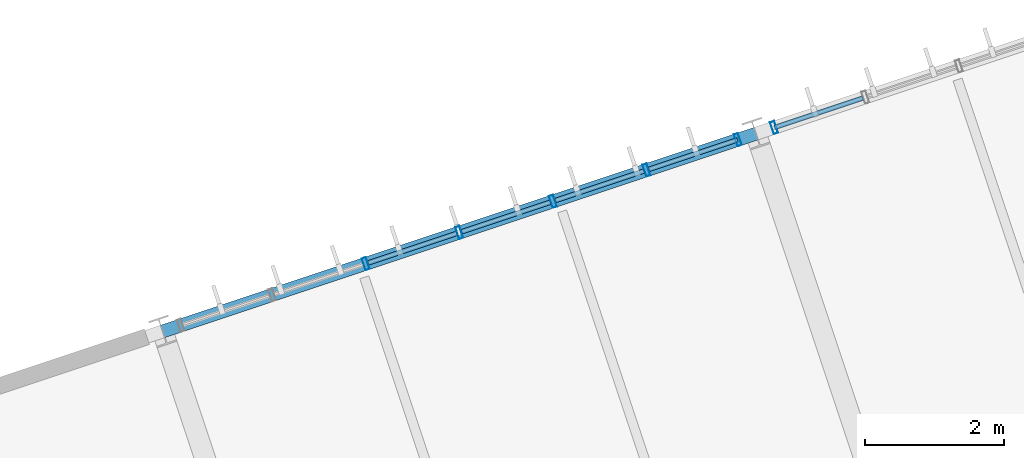
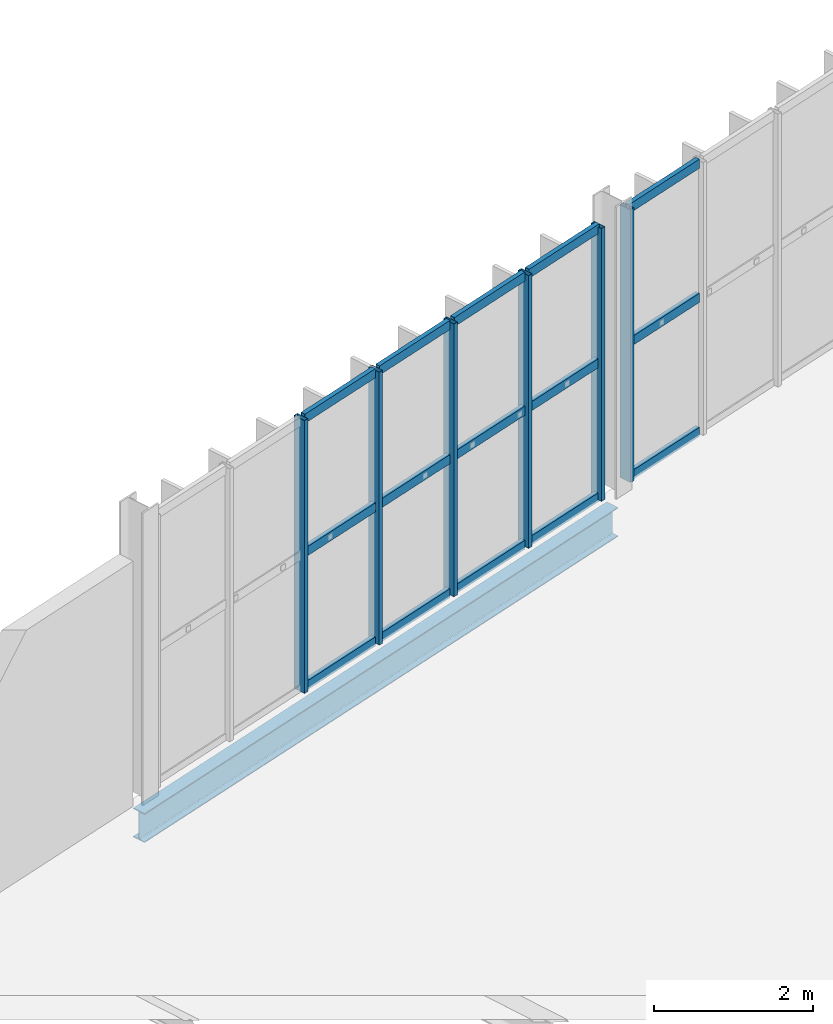
# One storey, part 44 of 152: 21 members, 1 beam, 2 elements without a shape of their own.
"""IFC4 building model written with IfcOpenShell, lengths in metres."""

from ifc_helpers import new_model, si_unit, derived_unit, direction, frame, origin, origin_2d, place, context, subcontext, project, spatial, hollow_rectangle, i_section, extrude, material, material_profile, profile_set, type_object, element, aggregate, save


model = new_model("IFC4")

# Units and contexts
model_context = context("Model", 3, precision=1e-05, world=origin(), true_north=direction((0.0, 1.0)))
body_context = subcontext(model_context, "Body", "Model", "MODEL_VIEW")
ifc_project = project(units=[si_unit("LENGTHUNIT", "METRE"), si_unit("AREAUNIT", "SQUARE_METRE"), si_unit("VOLUMEUNIT", "CUBIC_METRE"), si_unit("PLANEANGLEUNIT", "RADIAN"), si_unit("MASSUNIT", "GRAM", prefix="KILO"), si_unit("THERMODYNAMICTEMPERATUREUNIT", "KELVIN"), si_unit("TIMEUNIT", "SECOND"), derived_unit("THERMALTRANSMITTANCEUNIT", [(si_unit("MASSUNIT", "GRAM", prefix="KILO"), 1), (si_unit("THERMODYNAMICTEMPERATUREUNIT", "KELVIN"), -1), (si_unit("TIMEUNIT", "SECOND"), -3)])], contexts=[model_context])

# Site, building, storey
site_placement = place(None, origin())
site = spatial("IfcSite", under=ifc_project, at=site_placement, CompositionType="ELEMENT")
building_placement = place(site_placement, origin())
building = spatial("IfcBuilding", under=site, at=building_placement, Name="Cambertide Market Hall", CompositionType="ELEMENT")
storey_placement = place(building_placement, frame((0.0, 0.0, 5.39990234375)))
storey = spatial("IfcBuildingStorey", under=building, at=storey_placement, Name="L02", CompositionType="ELEMENT", Elevation=5.39990234375)

# Curtain wall, members
ifc_material_1 = material(Name="Marine Anodized Aluminium 6063-T6 AA25", Category="aluminium")
curtain_wall_type = type_object("IfcCurtainWallType", Name="Food Court Upper Glazed Facade", PredefinedType="USERDEFINED", material=ifc_material_1)
curtain_wall_1_placement = place(storey_placement, origin())
curtain_wall_1 = element("IfcCurtainWall", 1, at=curtain_wall_1_placement, inside=storey, type_object=curtain_wall_type, Name="Level 2 Curtain Wall CW-V3N-L02-3", ObjectType="UNITIZED CURTAIN WALL", PredefinedType="USERDEFINED")
ifc_material_2 = material(Name="Champagne Marine Anodized Aluminium 6063-T6 AA25", Category="aluminium")
ifc_material_profile_1 = material_profile(ifc_material_2, hollow_rectangle(XDim=0.06494140625, YDim=0.179931640625, WallThickness=0.00390625, at=origin_2d()), Name="ALU MULLION 65x180")
ifc_profile_set_1 = profile_set([ifc_material_profile_1], Name="Champagne Marine Anodized Aluminium 6063-T6 AA25")
member_type_1 = type_object("IfcMemberType", Name="Curtain Wall Mullion ALU MULLION 65x180", PredefinedType="MULLION", material=ifc_profile_set_1)
member_1_placement = place(storey_placement, frame((117.460205078125, 44.280517578125, 0.0), z_axis=(0.0, 0.0, 1.0), x_axis=(0.948683274577, 0.316227836438, 0.0)))
member_1 = element("IfcMember", 2, at=member_1_placement, type_object=member_type_1, Name="CW-V3N-L02-3 Mullion 3", PredefinedType="MULLION", context=body_context, shape_type="SweptSolid", body=[
    extrude(hollow_rectangle(XDim=0.06494140625, YDim=0.179931640625, WallThickness=0.00390625, at=origin_2d()), origin(), (0.0, 0.0, 1.0), 4.2001953125),
])
member_2_placement = place(storey_placement, frame((118.80712890625, 44.7294921875, 0.0), z_axis=(0.0, 0.0, 1.0), x_axis=(0.948683274577, 0.316227836438, 0.0)))
member_2 = element("IfcMember", 3, at=member_2_placement, type_object=member_type_1, Name="CW-V3N-L02-3 Mullion 4", PredefinedType="MULLION", context=body_context, shape_type="SweptSolid", body=[
    extrude(hollow_rectangle(XDim=0.06494140625, YDim=0.179931640625, WallThickness=0.00390625, at=origin_2d()), origin(), (0.0, 0.0, 1.0), 4.2001953125),
])
member_3_placement = place(storey_placement, frame((120.154296875, 45.1787109375, 0.0), z_axis=(0.0, 0.0, 1.0), x_axis=(0.948683274577, 0.316227836438, 0.0)))
member_3 = element("IfcMember", 4, at=member_3_placement, type_object=member_type_1, Name="CW-V3N-L02-3 Mullion 5", PredefinedType="MULLION", context=body_context, shape_type="SweptSolid", body=[
    extrude(hollow_rectangle(XDim=0.06494140625, YDim=0.179931640625, WallThickness=0.00390625, at=origin_2d()), origin(), (0.0, 0.0, 1.0), 4.2001953125),
])
member_4_placement = place(storey_placement, frame((121.50146484375, 45.627685546875, 0.0), z_axis=(0.0, 0.0, 1.0), x_axis=(0.948683274577, 0.316227836438, 0.0)))
member_4 = element("IfcMember", 5, at=member_4_placement, type_object=member_type_1, Name="CW-V3N-L02-3 Mullion 6", PredefinedType="MULLION", context=body_context, shape_type="SweptSolid", body=[
    extrude(hollow_rectangle(XDim=0.06494140625, YDim=0.179931640625, WallThickness=0.00390625, at=origin_2d()), origin(), (0.0, 0.0, 1.0), 4.2001953125),
])
member_5_placement = place(storey_placement, frame((122.8154296875, 46.065673828125, 0.0), z_axis=(0.0, 0.0, 1.0), x_axis=(0.948683274577, 0.316227836438, 0.0)))
member_5 = element("IfcMember", 6, at=member_5_placement, type_object=member_type_1, Name="CW-V3N-L02-3 Mullion 7", PredefinedType="MULLION", context=body_context, shape_type="SweptSolid", body=[
    extrude(hollow_rectangle(XDim=0.06494140625, YDim=0.179931640625, WallThickness=0.00390625, at=origin_2d()), origin(), (0.0, 0.0, 1.0), 4.2001953125),
])

# Curtain wall, member
curtain_wall_2_placement = place(storey_placement, origin())
curtain_wall_2 = element("IfcCurtainWall", 7, at=curtain_wall_2_placement, inside=storey, type_object=curtain_wall_type, Name="Level 2 Curtain Wall CW-V3N-L02-4", ObjectType="UNITIZED CURTAIN WALL", PredefinedType="USERDEFINED")
member_6_placement = place(storey_placement, frame((123.337158203125, 46.239501953125, 0.0), z_axis=(0.0, 0.0, 1.0), x_axis=(0.948683286311, 0.316227801236, 0.0)))
member_6 = element("IfcMember", 8, at=member_6_placement, type_object=member_type_1, Name="CW-V3N-L02-4 Mullion 1", PredefinedType="MULLION", context=body_context, shape_type="SweptSolid", body=[
    extrude(hollow_rectangle(XDim=0.06494140625, YDim=0.179931640625, WallThickness=0.00390625, at=origin_2d()), origin(), (0.0, 0.0, 1.0), 4.2001953125),
])

# Member
ifc_material_3 = material(Name="Champagne Marine Anodized Aluminium 6063-T6 AA25", Category="aluminium")
ifc_material_profile_2 = material_profile(ifc_material_3, hollow_rectangle(XDim=0.06494140625, YDim=0.139892578125, WallThickness=0.00341796875, at=origin_2d()), Name="ALU TRANSOM 65x140")
ifc_profile_set_2 = profile_set([ifc_material_profile_2], Name="Champagne Marine Anodized Aluminium 6063-T6 AA25")
member_type_2 = type_object("IfcMemberType", Name="Curtain Wall Transom ALU TRANSOM 65x140", PredefinedType="USERDEFINED", material=ifc_profile_set_2)
member_7_placement = place(storey_placement, frame((117.498046875, 44.293212890625, 0.03515625), z_axis=(0.948665077442, 0.316282422593, 0.0), x_axis=(-0.316282422593, 0.948665077442, 0.0)))
member_7 = element("IfcMember", 9, at=member_7_placement, type_object=member_type_2, Name="CW-V3N-L02-3 Transom 1-3", ObjectType="TRANSOM", PredefinedType="USERDEFINED", context=body_context, shape_type="SweptSolid", body=[
    extrude(hollow_rectangle(XDim=0.06494140625, YDim=0.139892578125, WallThickness=0.00341796875, at=origin_2d()), origin(), (0.0, 0.0, 1.0), 1.340087890625),
])

member_8_placement = place(storey_placement, frame((118.84521484375, 44.7421875, 0.03515625), z_axis=(0.948665077442, 0.316282422593, 0.0), x_axis=(-0.316282422593, 0.948665077442, 0.0)))
member_8 = element("IfcMember", 10, at=member_8_placement, type_object=member_type_2, Name="CW-V3N-L02-3 Transom 1-4", ObjectType="TRANSOM", PredefinedType="USERDEFINED", context=body_context, shape_type="SweptSolid", body=[
    extrude(hollow_rectangle(XDim=0.06494140625, YDim=0.139892578125, WallThickness=0.00341796875, at=origin_2d()), origin(), (0.0, 0.0, 1.0), 1.340087890625),
])

member_9_placement = place(storey_placement, frame((120.1923828125, 45.191162109375, 0.03515625), z_axis=(0.948665077442, 0.316282422593, 0.0), x_axis=(-0.316282422593, 0.948665077442, 0.0)))
member_9 = element("IfcMember", 11, at=member_9_placement, type_object=member_type_2, Name="CW-V3N-L02-3 Transom 1-5", ObjectType="TRANSOM", PredefinedType="USERDEFINED", context=body_context, shape_type="SweptSolid", body=[
    extrude(hollow_rectangle(XDim=0.06494140625, YDim=0.139892578125, WallThickness=0.00341796875, at=origin_2d()), origin(), (0.0, 0.0, 1.0), 1.340087890625),
])

member_10_placement = place(storey_placement, frame((121.53955078125, 45.640380859375, 0.03515625), z_axis=(0.948701519708, 0.316173095792, 0.0), x_axis=(-0.316173095792, 0.948701519708, 0.0)))
member_10 = element("IfcMember", 12, at=member_10_placement, type_object=member_type_2, Name="CW-V3N-L02-3 Transom 1-6", ObjectType="TRANSOM", PredefinedType="USERDEFINED", context=body_context, shape_type="SweptSolid", body=[
    extrude(hollow_rectangle(XDim=0.06494140625, YDim=0.139892578125, WallThickness=0.00341796875, at=origin_2d()), origin(), (0.0, 0.0, 1.0), 1.33984375),
])

member_11_placement = place(storey_placement, frame((117.498046875, 44.293212890625, 2.10009765625), z_axis=(0.948665077442, 0.316282422593, 0.0), x_axis=(-0.316282422593, 0.948665077442, 0.0)))
member_11 = element("IfcMember", 13, at=member_11_placement, type_object=member_type_2, Name="CW-V3N-L02-3 Transom 2-3", ObjectType="TRANSOM", PredefinedType="USERDEFINED", context=body_context, shape_type="SweptSolid", body=[
    extrude(hollow_rectangle(XDim=0.06494140625, YDim=0.139892578125, WallThickness=0.00341796875, at=origin_2d()), origin(), (0.0, 0.0, 1.0), 1.340087890625),
])

member_12_placement = place(storey_placement, frame((118.84521484375, 44.7421875, 2.10009765625), z_axis=(0.948665077442, 0.316282422593, 0.0), x_axis=(-0.316282422593, 0.948665077442, 0.0)))
member_12 = element("IfcMember", 14, at=member_12_placement, type_object=member_type_2, Name="CW-V3N-L02-3 Transom 2-4", ObjectType="TRANSOM", PredefinedType="USERDEFINED", context=body_context, shape_type="SweptSolid", body=[
    extrude(hollow_rectangle(XDim=0.06494140625, YDim=0.139892578125, WallThickness=0.00341796875, at=origin_2d()), origin(), (0.0, 0.0, 1.0), 1.340087890625),
])

member_13_placement = place(storey_placement, frame((120.1923828125, 45.191162109375, 2.10009765625), z_axis=(0.948665077442, 0.316282422593, 0.0), x_axis=(-0.316282422593, 0.948665077442, 0.0)))
member_13 = element("IfcMember", 15, at=member_13_placement, type_object=member_type_2, Name="CW-V3N-L02-3 Transom 2-5", ObjectType="TRANSOM", PredefinedType="USERDEFINED", context=body_context, shape_type="SweptSolid", body=[
    extrude(hollow_rectangle(XDim=0.06494140625, YDim=0.139892578125, WallThickness=0.00341796875, at=origin_2d()), origin(), (0.0, 0.0, 1.0), 1.340087890625),
])

member_14_placement = place(storey_placement, frame((121.53955078125, 45.640380859375, 2.10009765625), z_axis=(0.948701519708, 0.316173095792, 0.0), x_axis=(-0.316173095792, 0.948701519708, 0.0)))
member_14 = element("IfcMember", 16, at=member_14_placement, type_object=member_type_2, Name="CW-V3N-L02-3 Transom 2-6", ObjectType="TRANSOM", PredefinedType="USERDEFINED", context=body_context, shape_type="SweptSolid", body=[
    extrude(hollow_rectangle(XDim=0.06494140625, YDim=0.139892578125, WallThickness=0.00341796875, at=origin_2d()), origin(), (0.0, 0.0, 1.0), 1.33984375),
])

member_15_placement = place(storey_placement, frame((117.498046875, 44.293212890625, 4.1650390625), z_axis=(0.948665077442, 0.316282422593, 0.0), x_axis=(-0.316282422593, 0.948665077442, 0.0)))
member_15 = element("IfcMember", 17, at=member_15_placement, type_object=member_type_2, Name="CW-V3N-L02-3 Transom 3-3", ObjectType="TRANSOM", PredefinedType="USERDEFINED", context=body_context, shape_type="SweptSolid", body=[
    extrude(hollow_rectangle(XDim=0.06494140625, YDim=0.139892578125, WallThickness=0.00341796875, at=origin_2d()), origin(), (0.0, 0.0, 1.0), 1.340087890625),
])

member_16_placement = place(storey_placement, frame((118.84521484375, 44.7421875, 4.1650390625), z_axis=(0.948665077442, 0.316282422593, 0.0), x_axis=(-0.316282422593, 0.948665077442, 0.0)))
member_16 = element("IfcMember", 18, at=member_16_placement, type_object=member_type_2, Name="CW-V3N-L02-3 Transom 3-4", ObjectType="TRANSOM", PredefinedType="USERDEFINED", context=body_context, shape_type="SweptSolid", body=[
    extrude(hollow_rectangle(XDim=0.06494140625, YDim=0.139892578125, WallThickness=0.00341796875, at=origin_2d()), origin(), (0.0, 0.0, 1.0), 1.340087890625),
])

member_17_placement = place(storey_placement, frame((120.1923828125, 45.191162109375, 4.1650390625), z_axis=(0.948665077442, 0.316282422593, 0.0), x_axis=(-0.316282422593, 0.948665077442, 0.0)))
member_17 = element("IfcMember", 19, at=member_17_placement, type_object=member_type_2, Name="CW-V3N-L02-3 Transom 3-5", ObjectType="TRANSOM", PredefinedType="USERDEFINED", context=body_context, shape_type="SweptSolid", body=[
    extrude(hollow_rectangle(XDim=0.06494140625, YDim=0.139892578125, WallThickness=0.00341796875, at=origin_2d()), origin(), (0.0, 0.0, 1.0), 1.340087890625),
])

member_18_placement = place(storey_placement, frame((121.53955078125, 45.640380859375, 4.1650390625), z_axis=(0.948701519708, 0.316173095792, 0.0), x_axis=(-0.316173095792, 0.948701519708, 0.0)))
member_18 = element("IfcMember", 20, at=member_18_placement, type_object=member_type_2, Name="CW-V3N-L02-3 Transom 3-6", ObjectType="TRANSOM", PredefinedType="USERDEFINED", context=body_context, shape_type="SweptSolid", body=[
    extrude(hollow_rectangle(XDim=0.06494140625, YDim=0.139892578125, WallThickness=0.00341796875, at=origin_2d()), origin(), (0.0, 0.0, 1.0), 1.33984375),
])

aggregate(curtain_wall_1, [member_1, member_2, member_3, member_4, member_5, member_7, member_8, member_9, member_10, member_11, member_12, member_13, member_14, member_15, member_16, member_17, member_18])

member_19_placement = place(storey_placement, frame((123.342041015625, 46.2412109375, 0.03515625), z_axis=(0.948719731918, 0.316118443418, 0.0), x_axis=(-0.316118443418, 0.948719731918, 0.0)))
member_19 = element("IfcMember", 21, at=member_19_placement, type_object=member_type_2, Name="CW-V3N-L02-4 Transom 1-1", ObjectType="TRANSOM", PredefinedType="USERDEFINED", context=body_context, shape_type="SweptSolid", body=[
    extrude(hollow_rectangle(XDim=0.06494140625, YDim=0.139892578125, WallThickness=0.00341796875, at=origin_2d()), origin(), (0.0, 0.0, 1.0), 1.33984375),
])

member_20_placement = place(storey_placement, frame((123.342041015625, 46.2412109375, 2.10009765625), z_axis=(0.948719731918, 0.316118443418, 0.0), x_axis=(-0.316118443418, 0.948719731918, 0.0)))
member_20 = element("IfcMember", 22, at=member_20_placement, type_object=member_type_2, Name="CW-V3N-L02-4 Transom 2-1", ObjectType="TRANSOM", PredefinedType="USERDEFINED", context=body_context, shape_type="SweptSolid", body=[
    extrude(hollow_rectangle(XDim=0.06494140625, YDim=0.139892578125, WallThickness=0.00341796875, at=origin_2d()), origin(), (0.0, 0.0, 1.0), 1.33984375),
])

member_21_placement = place(storey_placement, frame((123.342041015625, 46.2412109375, 4.1650390625), z_axis=(0.948719731918, 0.316118443418, 0.0), x_axis=(-0.316118443418, 0.948719731918, 0.0)))
member_21 = element("IfcMember", 23, at=member_21_placement, type_object=member_type_2, Name="CW-V3N-L02-4 Transom 3-1", ObjectType="TRANSOM", PredefinedType="USERDEFINED", context=body_context, shape_type="SweptSolid", body=[
    extrude(hollow_rectangle(XDim=0.06494140625, YDim=0.139892578125, WallThickness=0.00341796875, at=origin_2d()), origin(), (0.0, 0.0, 1.0), 1.33984375),
])

aggregate(curtain_wall_2, [member_6, member_19, member_20, member_21])

# Beam
ifc_material_4 = material(Name="Steel S355", Category="steel")
ifc_material_profile_3 = material_profile(ifc_material_4, i_section(OverallWidth=0.18994140625, OverallDepth=0.449951171875, WebThickness=0.009521484375, FlangeThickness=0.0146484375, FilletRadius=0.02099609375, at=origin_2d()), Name="IPE 450")
ifc_profile_set_3 = profile_set([ifc_material_profile_3], Name="Steel S355")
beam_type = type_object("IfcBeamType", Name="Perimeter Spandrel Beam IPE 450", PredefinedType="SPANDREL", material=ifc_profile_set_3)
beam_placement = place(storey_placement, frame((114.5380859375, 43.306640625, -0.474853515625), z_axis=(0.948688723175, 0.316211490179, 0.0), x_axis=(-0.316211490179, 0.948688723175, 0.0)))
element("IfcBeam", 24, at=beam_placement, inside=storey, type_object=beam_type, Name="Level 2 Spandrel BM-V3U-L02-3-4", PredefinedType="SPANDREL", context=body_context, shape_type="SweptSolid", body=[
    extrude(i_section(OverallWidth=0.18994140625, OverallDepth=0.449951171875, WebThickness=0.009521484375, FlangeThickness=0.0146484375, FilletRadius=0.02099609375, at=origin_2d()), origin(), (0.0, 0.0, 1.0), 9.000244140625),
])

save(model, "model.ifc")
